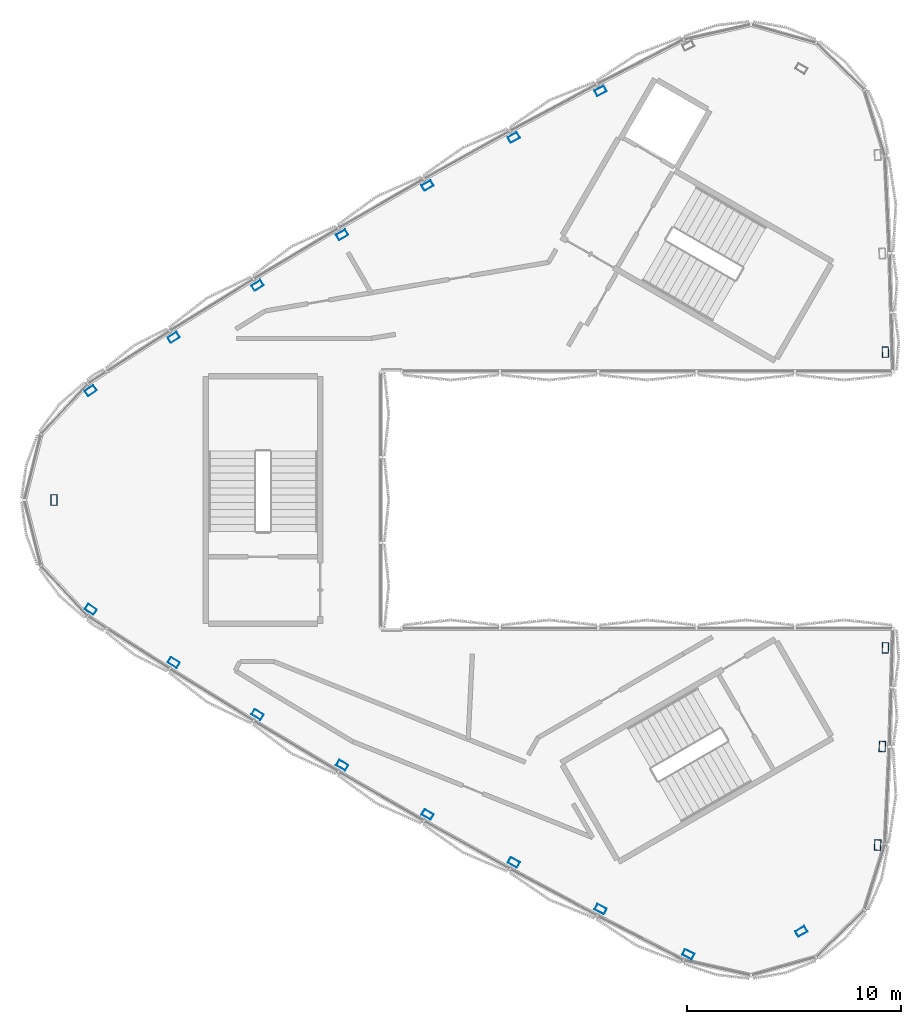
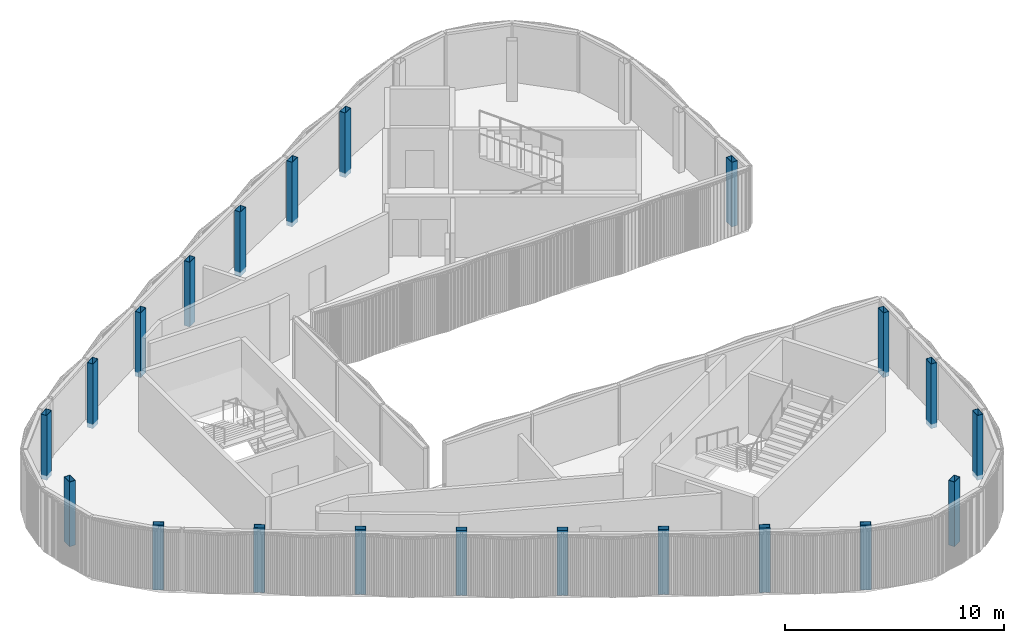
# One storey, part 1 of 16: 21 columns.
"""IFC4 building model written with IfcOpenShell, lengths in metres."""

from ifc_helpers import new_model, si_unit, direction, frame, origin, origin_2d, place, context, subcontext, project, spatial, hollow_rectangle, extrude, material, material_profile, profile_set, type_object, element, save


model = new_model("IFC4")

# Units and contexts
model_context = context("Model", 3, precision=1e-05, world=origin(), true_north=direction((0.0, 1.0)))
body_context = subcontext(model_context, "Body", "Model", "MODEL_VIEW")
ifc_project = project(units=[si_unit("LENGTHUNIT", "METRE"), si_unit("AREAUNIT", "SQUARE_METRE"), si_unit("VOLUMEUNIT", "CUBIC_METRE"), si_unit("PLANEANGLEUNIT", "RADIAN"), si_unit("MASSUNIT", "GRAM", prefix="KILO")], contexts=[model_context])

# Site, building, storey
site_placement = place(None, origin())
site = spatial("IfcSite", under=ifc_project, at=site_placement, CompositionType="ELEMENT")
building_placement = place(site_placement, origin())
building = spatial("IfcBuilding", under=site, at=building_placement, Name="Tamra Quay Hotel Tower", CompositionType="ELEMENT")
storey_placement = place(building_placement, frame((0.0, 0.0, 324.199951171875)))
storey = spatial("IfcBuildingStorey", under=building, at=storey_placement, Name="Roof crown 2", CompositionType="ELEMENT", Elevation=324.199951171875)

# Columns
ifc_material = material(Name="Structural steel IS 2062 E350", Category="steel")
ifc_material_profile = material_profile(ifc_material, hollow_rectangle(XDim=0.300048828125, YDim=0.5, WallThickness=0.01611328125, at=origin_2d()), Name="RHS 500x300x16")
ifc_profile_set = profile_set([ifc_material_profile], Name="Structural steel IS 2062 E350")
column_type = type_object("IfcColumnType", Name="CROWN FRAME POST RHS 500x300x16", PredefinedType="COLUMN", material=ifc_profile_set)
for number, where, z_axis, x_axis, name in (
    (1, (-13.765380859375, 10.022216796875, -0.25), (0.0, 0.0, 1.0), (-0.520430007934, 0.8539043312, 0.0), "CF-A-C6NW06-Roofcrown2"),
    (2, (-17.681396484375, 7.594970703125, -0.25), (0.0, 0.0, 1.0), (-0.533133229604, 0.846031299357, 0.0), "CF-A-C6NW07-Roofcrown2"),
    (3, (15.56201171875, 6.909912109375, -0.25), (0.0, 0.0, 1.0), (0.999717847188, 0.023753442163, 0.0), "CF-A-C6E06-Roofcrown2"),
    (4, (2.26318359375, 19.110107421875, -0.25), (0.0, 0.0, 1.0), (-0.466117982839, 0.884722570117, 0.0), "CF-A-C6NW02-Roofcrown2"),
    (5, (-1.796875, 16.93212890625, -0.25), (0.0, 0.0, 1.0), (-0.479287839253, 0.877657773363, 0.0), "CF-A-C6NW03-Roofcrown2"),
    (6, (-5.822265625, 14.69140625, -0.25), (0.0, 0.0, 1.0), (-0.493125204396, 0.869958351181, 0.0), "CF-A-C6NW04-Roofcrown2"),
    (7, (-9.81201171875, 12.3876953125, -0.25), (0.0, 0.0, 1.0), (-0.506843430159, 0.862038129844, 0.0), "CF-A-C6NW05-Roofcrown2"),
    (8, (-9.81201171875, -12.3876953125, -0.25), (0.0, 0.0, 1.0), (0.506843430159, 0.862038129844, 0.0), "CF-B-C6SW04-Roofcrown2"),
    (9, (-5.822265625, -14.69140625, -0.25), (0.0, 0.0, 1.0), (0.493125204396, 0.869958351181, 0.0), "CF-B-C6SW05-Roofcrown2"),
    (10, (-1.796875, -16.93212890625, -0.25), (0.0, 0.0, 1.0), (0.479287839253, 0.877657773363, 0.0), "CF-B-C6SW06-Roofcrown2"),
    (11, (2.26318359375, -19.110107421875, -0.25), (0.0, 0.0, 1.0), (0.466117982839, 0.884722570117, 0.0), "CF-B-C6SW07-Roofcrown2"),
    (12, (6.3564453125, -21.22412109375, -0.25), (0.0, 0.0, 1.0), (0.451685882938, 0.89217703577, 0.0), "CF-B-C6SW08-Roofcrown2"),
    (13, (11.63671875, -20.1552734375, -0.25), (0.0, 0.0, 1.0), (-0.5, 0.866025403784, 0.0), "CF-B-M6SE-Roofcrown2"),
    (14, (15.202392578125, -16.116943359375, -0.25), (0.0, 0.0, 1.0), (-0.998490919119, 0.05491706873, 0.0), "CF-B-C6E01-Roofcrown2"),
    (15, (15.418212890625, -11.51513671875, -0.25), (0.0, 0.0, 1.0), (-0.999251212442, 0.03869127076, 0.0), "CF-B-C6E02-Roofcrown2"),
    (16, (15.56201171875, -6.909912109375, -0.25), (0.0, 0.0, 1.0), (-0.999717847188, 0.023753442163, 0.0), "CF-B-C6E03-Roofcrown2"),
    (17, (-17.681396484375, -7.594970703125, -0.25), (0.0, 0.0, 1.0), (0.533133229604, 0.846031299357, 0.0), "CF-B-C6SW02-Roofcrown2"),
    (18, (-13.765380859375, -10.022216796875, -0.25), (0.0, 0.0, 1.0), (0.520430007934, 0.8539043312, 0.0), "CF-B-C6SW03-Roofcrown2"),
    (19, (-21.558837890625, -5.107421875, -0.25), (0.0, 0.0, 1.0), (0.546805036181, 0.83725996704, 0.0), "CF-C-C6SW01-Roofcrown2"),
    (20, (-21.558837890625, 5.107421875, -0.25), (0.0, 0.0, 1.0), (-0.546805036181, 0.83725996704, 0.0), "CF-C-C6NW08-Roofcrown2"),
    (21, (-23.2734375, 0.0, -0.25), (0.0, 0.0, 1.0), (1.0, 0.0, 0.0), "CF-C-M6W-Roofcrown2"),
):
    element("IfcColumn", number, at=place(storey_placement, frame(where, z_axis=z_axis, x_axis=x_axis)), inside=storey, type_object=column_type, Name=name, PredefinedType="COLUMN", context=body_context, shape_type="SweptSolid", body=[
        extrude(hollow_rectangle(XDim=0.300048828125, YDim=0.5, WallThickness=0.01611328125, at=origin_2d()), origin(), (0.0, 0.0, 1.0), 3.60009765625),
    ])

save(model, "model.ifc")
